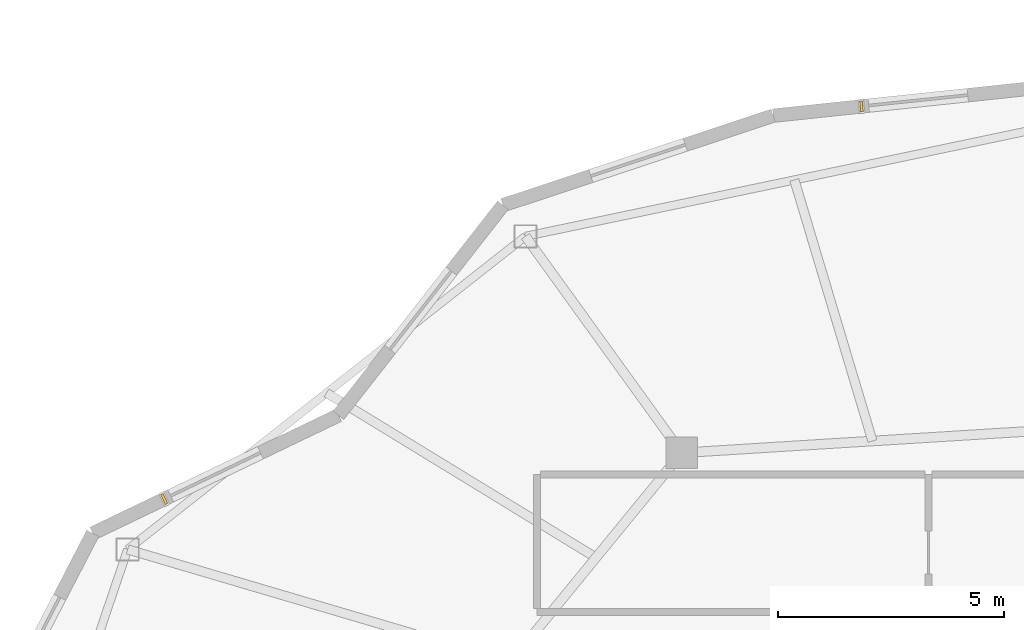
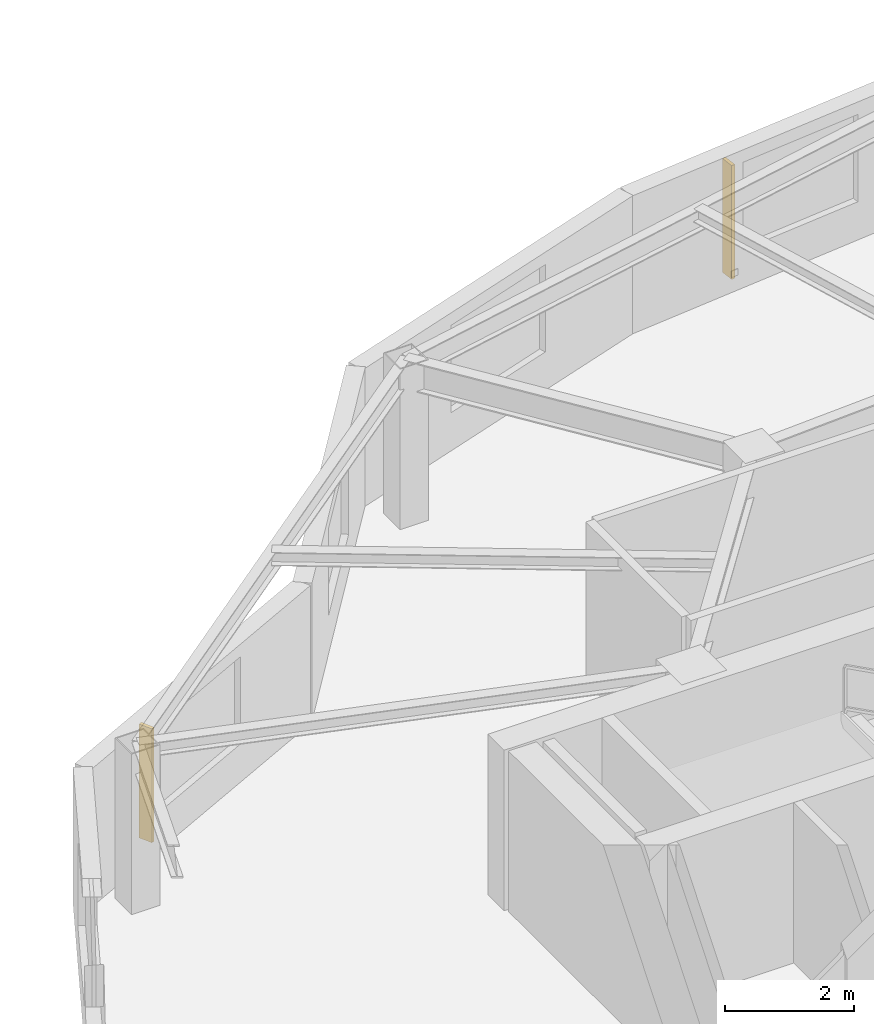
# One storey, part 13 of 14: 2 shading devices.
"""IFC4 building model written with IfcOpenShell, lengths in metres."""

import ifcopenshell
import ifcopenshell.guid

model = None  # the IFC model being written
_history = None  # IfcOwnerHistory: only IFC2X3 demands one
_inside = {}  # id of a spatial element -> (the spatial element, [elements in it])
_under = {}  # id of a project, library or spatial element -> (it, [spatial elements below it])
_declared = {}  # id of a project -> (the project, [libraries it declares])
_typed = {}  # id of a type object -> (the type object, [elements of that type])
_made_of = {}  # id of a material, layer set ... -> (it, [elements and type objects made of it])


def new_model(schema):
    """Start an empty IFC model of exactly this schema.

    Asked for "IFC4X3", IfcOpenShell would pick the latest addendum, in which some entities
    have other attributes; the version numbers below select the first issue.
    IFC2X3 requires an IfcOwnerHistory on every rooted entity: one is made here for all.
    """
    global model, _history
    if schema == "IFC4X3":
        model = ifcopenshell.file(schema_version=(4, 3, 0, 0))
    else:
        model = ifcopenshell.file(schema=schema)
    _inside.clear()
    _under.clear()
    _declared.clear()
    _typed.clear()
    _made_of.clear()
    _history = None
    if model.schema == "IFC2X3":
        org = make("IfcOrganization", Name="unknown")
        user = make(
            "IfcPersonAndOrganization",
            ThePerson=make("IfcPerson", FamilyName="unknown"),
            TheOrganization=org,
        )
        app = make(
            "IfcApplication",
            ApplicationDeveloper=org,
            Version="unknown",
            ApplicationFullName="unknown",
            ApplicationIdentifier="unknown",
        )
        _history = make(
            "IfcOwnerHistory",
            OwningUser=user,
            OwningApplication=app,
            ChangeAction="ADDED",
            CreationDate=0,
        )
    return model


def make(cls, **values):
    """One entity of the class cls with the attributes given. An attribute that is None is left unset."""
    return model.create_entity(
        cls, **{name: value for name, value in values.items() if value is not None}
    )


def rooted(cls, **values):
    """An entity with a GlobalId (a new one), such as an element, a storey or a relation."""
    return make(cls, GlobalId=ifcopenshell.guid.new(), OwnerHistory=_history, **values)


def si_unit(unit_type, name, prefix=None):
    """IfcSIUnit, for example si_unit("LENGTHUNIT", "METRE", prefix="MILLI")."""
    return make("IfcSIUnit", UnitType=unit_type, Prefix=prefix, Name=name)


def assignment(units):
    """IfcUnitAssignment: the units of a project."""
    return None if units is None else make("IfcUnitAssignment", Units=units)


def point(xyz):
    """IfcCartesianPoint."""
    return None if xyz is None else make("IfcCartesianPoint", Coordinates=xyz)


def direction(xyz):
    """IfcDirection."""
    return None if xyz is None else make("IfcDirection", DirectionRatios=xyz)


def frame(location, z_axis=None, x_axis=None):
    """IfcAxis2Placement3D, a coordinate frame: its origin and axes. An axis left out is left unset."""
    return make(
        "IfcAxis2Placement3D",
        Location=point(location),
        Axis=direction(z_axis),
        RefDirection=direction(x_axis),
    )


def frame_2d(location, x_axis=None):
    """IfcAxis2Placement2D, a coordinate frame in the plane: its origin and x axis."""
    return make(
        "IfcAxis2Placement2D", Location=point(location), RefDirection=direction(x_axis)
    )


def origin():
    """The frame at (0, 0, 0) with its axes left unset."""
    return frame((0.0, 0.0, 0.0))


def origin_2d():
    """The frame at (0, 0) in the plane with its x axis left unset."""
    return frame_2d((0.0, 0.0))


def place(relative_to, where):
    """IfcLocalPlacement: puts the frame where relative to a parent placement (None: the world)."""
    return make(
        "IfcLocalPlacement", PlacementRelTo=relative_to, RelativePlacement=where
    )


def context(
    kind, dimensions, precision=None, world=None, true_north=None, identifier=None
):
    """IfcGeometricRepresentationContext, for example the 3D "Model" context."""
    return make(
        "IfcGeometricRepresentationContext",
        ContextIdentifier=identifier,
        ContextType=kind,
        CoordinateSpaceDimension=dimensions,
        Precision=precision,
        WorldCoordinateSystem=world,
        TrueNorth=true_north,
    )


def subcontext(parent, identifier, kind, view, scale=None):
    """IfcGeometricRepresentationSubContext, for example "Body" below "Model"."""
    return make(
        "IfcGeometricRepresentationSubContext",
        ContextIdentifier=identifier,
        ContextType=kind,
        ParentContext=parent,
        TargetScale=scale,
        TargetView=view,
    )


def project(units=None, contexts=None):
    """IfcProject with its units and contexts."""
    return rooted(
        "IfcProject",
        Name="project",
        RepresentationContexts=contexts,
        UnitsInContext=assignment(units),
    )


def spatial(cls, under=None, at=None, **own):
    """A site, building, storey or space (cls), placed at a placement, below another one or the project."""
    s = rooted(cls, ObjectPlacement=at, **own)
    if under is not None:
        _under.setdefault(under.id(), (under, []))[1].append(s)
    return s


def profile(cls, at=None, kind="AREA", **sizes):
    """A parametric profile (cls). Its sizes go by their IFC names, for example OverallWidth=200.0."""
    return make(cls, ProfileType=kind, Position=at, **sizes)


def rectangle(**sizes):
    """IfcRectangleProfileDef."""
    return profile("IfcRectangleProfileDef", **sizes)


def extrude(swept, where, along, depth):
    """IfcExtrudedAreaSolid: the profile swept, set in the frame where, extruded along a direction by depth."""
    return make(
        "IfcExtrudedAreaSolid",
        SweptArea=swept,
        Position=where,
        ExtrudedDirection=direction(along),
        Depth=depth,
    )


def shape(context_of_items, identifier, shape_type, items):
    """IfcShapeRepresentation: the items that make up one representation, for example the "Body"."""
    return make(
        "IfcShapeRepresentation",
        ContextOfItems=context_of_items,
        RepresentationIdentifier=identifier,
        RepresentationType=shape_type,
        Items=items,
    )


def material(Name=None, Category=None):
    """IfcMaterial."""
    return make("IfcMaterial", Name=Name, Category=Category)


def made_of(thing, what):
    """Note that an element or type object is made of a material, layer set ...; save() writes the relation."""
    if what is not None:
        _made_of.setdefault(what.id(), (what, []))[1].append(thing)
    return thing


def type_object(cls, material=None, **own):
    """A type object (cls), such as IfcWallType, which elements share."""
    return made_of(rooted(cls, **own), material)


def element(
    cls,
    number,
    at=None,
    inside=None,
    cuts=None,
    type_object=None,
    material=None,
    context=None,
    identifier="Body",
    shape_type=None,
    held_by="IfcProductDefinitionShape",
    body=None,
    shapes=None,
    **own,
):
    """One element of the class cls, such as IfcWall. Its Tag is "e" and its number.

    at: its placement. inside: the storey or other place that contains it. cuts: it is an
    opening in that element (IfcRelVoidsElement). A single representation is given by context,
    identifier, shape_type and body (its items); several are given by shapes. held_by: the class
    of the entity that holds the representations. save() writes the other relations.
    """
    e = rooted(cls, Tag="e%d" % number, ObjectPlacement=at, **own)
    if body is not None:
        shapes = [shape(context, identifier, shape_type, body)]
    if shapes is not None:
        e.Representation = make(held_by, Representations=shapes)
    if inside is not None:
        _inside.setdefault(inside.id(), (inside, []))[1].append(e)
    if cuts is not None:
        rooted(
            "IfcRelVoidsElement", RelatingBuildingElement=cuts, RelatedOpeningElement=e
        )
    if type_object is not None:
        _typed.setdefault(type_object.id(), (type_object, []))[1].append(e)
    return made_of(e, material)


def aggregate(whole, parts):
    """IfcRelAggregates: a whole, such as a stair, and the parts it consists of."""
    return rooted("IfcRelAggregates", RelatingObject=whole, RelatedObjects=parts)


def save(model, path):
    """Write the relations noted so far, then the file.

    IfcRelAggregates (storeys below a building ...), IfcRelContainedInSpatialStructure (elements
    in a storey), IfcRelDefinesByType, IfcRelAssociatesMaterial and IfcRelDeclares: one each for
    every whole, place, type object, material and project.
    """
    for whole, parts in _under.values():
        aggregate(whole, parts)
    for where, things in _inside.values():
        rooted(
            "IfcRelContainedInSpatialStructure",
            RelatedElements=things,
            RelatingStructure=where,
        )
    for kind, things in _typed.values():
        rooted("IfcRelDefinesByType", RelatedObjects=things, RelatingType=kind)
    for what, things in _made_of.values():
        rooted("IfcRelAssociatesMaterial", RelatedObjects=things, RelatingMaterial=what)
    for by, libraries in _declared.values():
        rooted("IfcRelDeclares", RelatingContext=by, RelatedDefinitions=libraries)
    model.write(path)


model = new_model("IFC4")

# Units and contexts
model_context = context("Model", 3, precision=1e-05, world=origin(), true_north=direction((0.0, 1.0)))
body_context = subcontext(model_context, "Body", "Model", "MODEL_VIEW")
ifc_project = project(units=[si_unit("LENGTHUNIT", "METRE"), si_unit("AREAUNIT", "SQUARE_METRE"), si_unit("VOLUMEUNIT", "CUBIC_METRE"), si_unit("PLANEANGLEUNIT", "RADIAN"), si_unit("MASSUNIT", "GRAM", prefix="KILO")], contexts=[model_context])

# Site, building, storey
site_placement = place(None, origin())
site = spatial("IfcSite", under=ifc_project, at=site_placement, CompositionType="ELEMENT")
building_placement = place(site_placement, origin())
building = spatial("IfcBuilding", under=site, at=building_placement, Name="Kolvaren Gate Tower and Convention Centre", CompositionType="ELEMENT")
storey_placement = place(building_placement, frame((0.0, 0.0, 216.199951171875)))
storey = spatial("IfcBuildingStorey", under=building, at=storey_placement, Name="L57", CompositionType="ELEMENT", Elevation=216.199951171875)

# Shading devices
ifc_material = material(Name="Kiln-Fired Bogota Terracotta Ceramic Louvre Profile", Category="masonry")
shading_device_type = type_object("IfcShadingDeviceType", Name="ARCH-SHD-FIN-180", PredefinedType="JALOUSIE", material=ifc_material)
for number, where, z_axis, x_axis, name in (
    (1, (25.66943359375, 46.330810546875, 0.22021484375), (0.0, 0.0, 1.0), (0.994498884311, 0.104747167526, 0.0), "Ceramic Vertical Brise-Soleil Fin FN-L57-06"),
    (2, (10.268310546875, 37.657958984375, 0.22021484375), (0.0, 0.0, 1.0), (0.90135914581, 0.433072384555, 0.0), "Ceramic Vertical Brise-Soleil Fin FN-L57-09"),
):
    element("IfcShadingDevice", number, at=place(storey_placement, frame(where, z_axis=z_axis, x_axis=x_axis)), inside=storey, type_object=shading_device_type, Name=name, PredefinedType="JALOUSIE", context=body_context, shape_type="SweptSolid", body=[
        extrude(rectangle(XDim=0.06005859375, YDim=0.239990234375, at=origin_2d()), origin(), (0.0, 0.0, 1.0), 2.14990234375),
    ])

save(model, "model.ifc")
